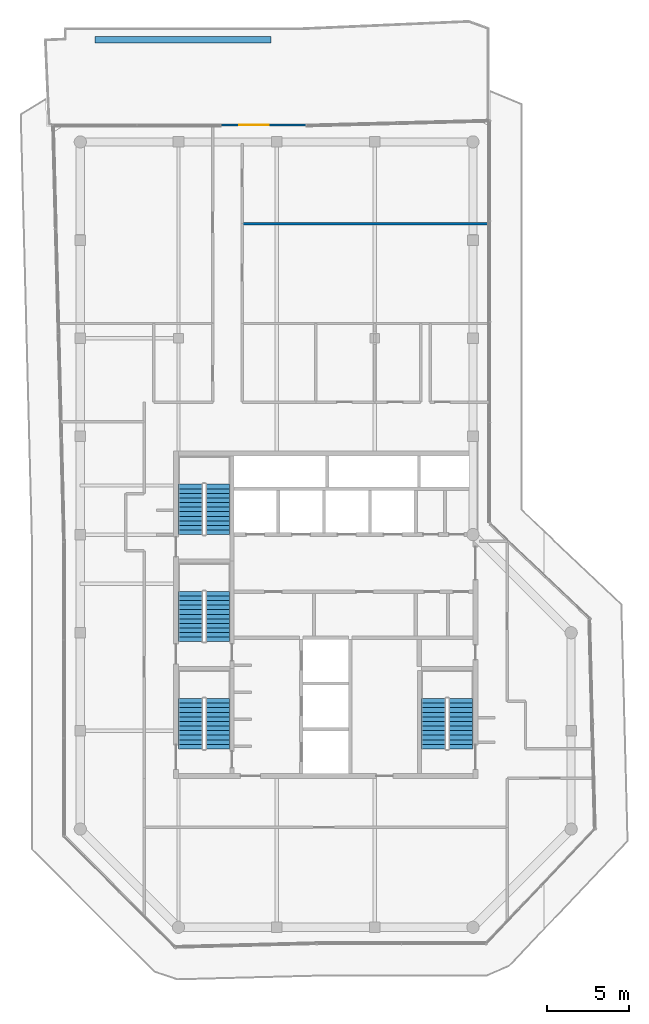
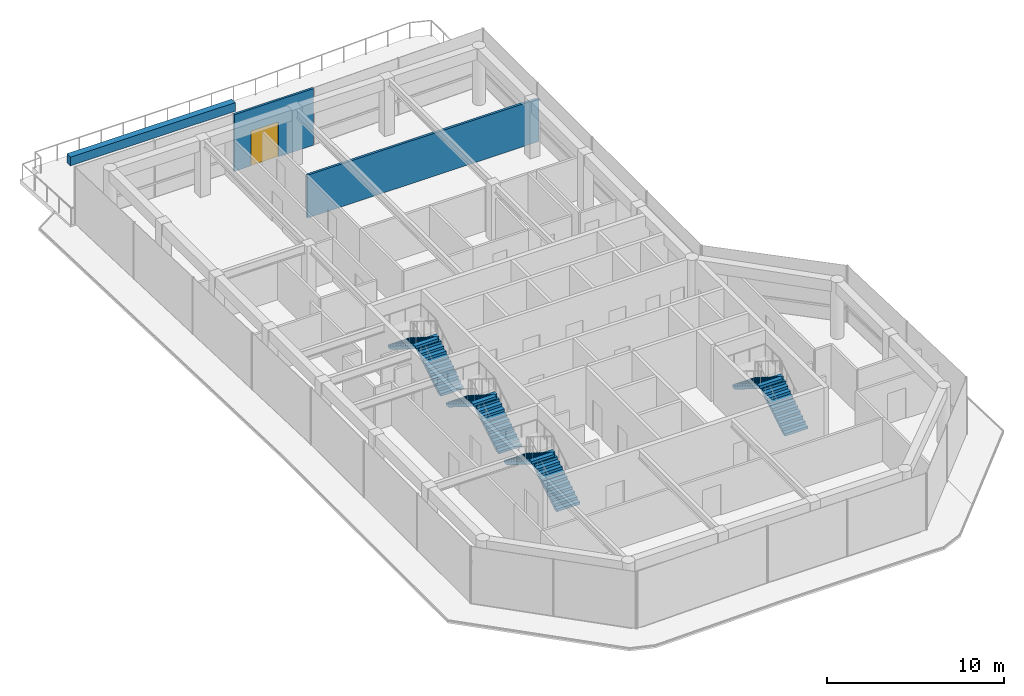
# One storey, part 18 of 20: 8 stair flights, 3 walls, 1 door, 1 opening, 4 elements without a shape of their own.
"""IFC4 building model written with IfcOpenShell, lengths in metres."""

import ifcopenshell
import ifcopenshell.guid

model = None  # the IFC model being written
_history = None  # IfcOwnerHistory: only IFC2X3 demands one
_inside = {}  # id of a spatial element -> (the spatial element, [elements in it])
_under = {}  # id of a project, library or spatial element -> (it, [spatial elements below it])
_declared = {}  # id of a project -> (the project, [libraries it declares])
_typed = {}  # id of a type object -> (the type object, [elements of that type])
_made_of = {}  # id of a material, layer set ... -> (it, [elements and type objects made of it])


def new_model(schema):
    """Start an empty IFC model of exactly this schema.

    Asked for "IFC4X3", IfcOpenShell would pick the latest addendum, in which some entities
    have other attributes; the version numbers below select the first issue.
    IFC2X3 requires an IfcOwnerHistory on every rooted entity: one is made here for all.
    """
    global model, _history
    if schema == "IFC4X3":
        model = ifcopenshell.file(schema_version=(4, 3, 0, 0))
    else:
        model = ifcopenshell.file(schema=schema)
    _inside.clear()
    _under.clear()
    _declared.clear()
    _typed.clear()
    _made_of.clear()
    _history = None
    if model.schema == "IFC2X3":
        org = make("IfcOrganization", Name="unknown")
        user = make(
            "IfcPersonAndOrganization",
            ThePerson=make("IfcPerson", FamilyName="unknown"),
            TheOrganization=org,
        )
        app = make(
            "IfcApplication",
            ApplicationDeveloper=org,
            Version="unknown",
            ApplicationFullName="unknown",
            ApplicationIdentifier="unknown",
        )
        _history = make(
            "IfcOwnerHistory",
            OwningUser=user,
            OwningApplication=app,
            ChangeAction="ADDED",
            CreationDate=0,
        )
    return model


def make(cls, **values):
    """One entity of the class cls with the attributes given. An attribute that is None is left unset."""
    return model.create_entity(
        cls, **{name: value for name, value in values.items() if value is not None}
    )


def rooted(cls, **values):
    """An entity with a GlobalId (a new one), such as an element, a storey or a relation."""
    return make(cls, GlobalId=ifcopenshell.guid.new(), OwnerHistory=_history, **values)


def si_unit(unit_type, name, prefix=None):
    """IfcSIUnit, for example si_unit("LENGTHUNIT", "METRE", prefix="MILLI")."""
    return make("IfcSIUnit", UnitType=unit_type, Prefix=prefix, Name=name)


def assignment(units):
    """IfcUnitAssignment: the units of a project."""
    return None if units is None else make("IfcUnitAssignment", Units=units)


def point(xyz):
    """IfcCartesianPoint."""
    return None if xyz is None else make("IfcCartesianPoint", Coordinates=xyz)


def direction(xyz):
    """IfcDirection."""
    return None if xyz is None else make("IfcDirection", DirectionRatios=xyz)


def frame(location, z_axis=None, x_axis=None):
    """IfcAxis2Placement3D, a coordinate frame: its origin and axes. An axis left out is left unset."""
    return make(
        "IfcAxis2Placement3D",
        Location=point(location),
        Axis=direction(z_axis),
        RefDirection=direction(x_axis),
    )


def frame_2d(location, x_axis=None):
    """IfcAxis2Placement2D, a coordinate frame in the plane: its origin and x axis."""
    return make(
        "IfcAxis2Placement2D", Location=point(location), RefDirection=direction(x_axis)
    )


def origin():
    """The frame at (0, 0, 0) with its axes left unset."""
    return frame((0.0, 0.0, 0.0))


def place(relative_to, where):
    """IfcLocalPlacement: puts the frame where relative to a parent placement (None: the world)."""
    return make(
        "IfcLocalPlacement", PlacementRelTo=relative_to, RelativePlacement=where
    )


def context(
    kind, dimensions, precision=None, world=None, true_north=None, identifier=None
):
    """IfcGeometricRepresentationContext, for example the 3D "Model" context."""
    return make(
        "IfcGeometricRepresentationContext",
        ContextIdentifier=identifier,
        ContextType=kind,
        CoordinateSpaceDimension=dimensions,
        Precision=precision,
        WorldCoordinateSystem=world,
        TrueNorth=true_north,
    )


def subcontext(parent, identifier, kind, view, scale=None):
    """IfcGeometricRepresentationSubContext, for example "Body" below "Model"."""
    return make(
        "IfcGeometricRepresentationSubContext",
        ContextIdentifier=identifier,
        ContextType=kind,
        ParentContext=parent,
        TargetScale=scale,
        TargetView=view,
    )


def project(units=None, contexts=None):
    """IfcProject with its units and contexts."""
    return rooted(
        "IfcProject",
        Name="project",
        RepresentationContexts=contexts,
        UnitsInContext=assignment(units),
    )


def spatial(cls, under=None, at=None, **own):
    """A site, building, storey or space (cls), placed at a placement, below another one or the project."""
    s = rooted(cls, ObjectPlacement=at, **own)
    if under is not None:
        _under.setdefault(under.id(), (under, []))[1].append(s)
    return s


def polyline(points):
    """IfcPolyline through the points."""
    return make("IfcPolyline", Points=[point(p) for p in points])


def profile(cls, at=None, kind="AREA", **sizes):
    """A parametric profile (cls). Its sizes go by their IFC names, for example OverallWidth=200.0."""
    return make(cls, ProfileType=kind, Position=at, **sizes)


def rectangle(**sizes):
    """IfcRectangleProfileDef."""
    return profile("IfcRectangleProfileDef", **sizes)


def outline(outer, holes=None, kind="AREA"):
    """IfcArbitraryClosedProfileDef: a profile drawn as a closed curve; with holes, ...WithVoids."""
    if holes is None:
        return make("IfcArbitraryClosedProfileDef", ProfileType=kind, OuterCurve=outer)
    return make(
        "IfcArbitraryProfileDefWithVoids",
        ProfileType=kind,
        OuterCurve=outer,
        InnerCurves=holes,
    )


def extrude(swept, where, along, depth):
    """IfcExtrudedAreaSolid: the profile swept, set in the frame where, extruded along a direction by depth."""
    return make(
        "IfcExtrudedAreaSolid",
        SweptArea=swept,
        Position=where,
        ExtrudedDirection=direction(along),
        Depth=depth,
    )


def shape(context_of_items, identifier, shape_type, items):
    """IfcShapeRepresentation: the items that make up one representation, for example the "Body"."""
    return make(
        "IfcShapeRepresentation",
        ContextOfItems=context_of_items,
        RepresentationIdentifier=identifier,
        RepresentationType=shape_type,
        Items=items,
    )


def material(Name=None, Category=None):
    """IfcMaterial."""
    return make("IfcMaterial", Name=Name, Category=Category)


def layer(
    of_material, thickness, ventilated=None, Name=None, Category=None, Priority=None
):
    """IfcMaterialLayer: one layer of a wall or slab, of a material (None: an air gap)."""
    return make(
        "IfcMaterialLayer",
        Material=of_material,
        LayerThickness=thickness,
        IsVentilated=ventilated,
        Name=Name,
        Category=Category,
        Priority=Priority,
    )


def layer_set(layers, Name=None):
    """IfcMaterialLayerSet."""
    return make("IfcMaterialLayerSet", MaterialLayers=layers, LayerSetName=Name)


def made_of(thing, what):
    """Note that an element or type object is made of a material, layer set ...; save() writes the relation."""
    if what is not None:
        _made_of.setdefault(what.id(), (what, []))[1].append(thing)
    return thing


def type_object(cls, material=None, **own):
    """A type object (cls), such as IfcWallType, which elements share."""
    return made_of(rooted(cls, **own), material)


def element(
    cls,
    number,
    at=None,
    inside=None,
    cuts=None,
    type_object=None,
    material=None,
    context=None,
    identifier="Body",
    shape_type=None,
    held_by="IfcProductDefinitionShape",
    body=None,
    shapes=None,
    **own,
):
    """One element of the class cls, such as IfcWall. Its Tag is "e" and its number.

    at: its placement. inside: the storey or other place that contains it. cuts: it is an
    opening in that element (IfcRelVoidsElement). A single representation is given by context,
    identifier, shape_type and body (its items); several are given by shapes. held_by: the class
    of the entity that holds the representations. save() writes the other relations.
    """
    e = rooted(cls, Tag="e%d" % number, ObjectPlacement=at, **own)
    if body is not None:
        shapes = [shape(context, identifier, shape_type, body)]
    if shapes is not None:
        e.Representation = make(held_by, Representations=shapes)
    if inside is not None:
        _inside.setdefault(inside.id(), (inside, []))[1].append(e)
    if cuts is not None:
        rooted(
            "IfcRelVoidsElement", RelatingBuildingElement=cuts, RelatedOpeningElement=e
        )
    if type_object is not None:
        _typed.setdefault(type_object.id(), (type_object, []))[1].append(e)
    return made_of(e, material)


def fill(opening, filler):
    """IfcRelFillsElement: the door or window that sits in an opening."""
    return rooted(
        "IfcRelFillsElement",
        RelatingOpeningElement=opening,
        RelatedBuildingElement=filler,
    )


def aggregate(whole, parts):
    """IfcRelAggregates: a whole, such as a stair, and the parts it consists of."""
    return rooted("IfcRelAggregates", RelatingObject=whole, RelatedObjects=parts)


def save(model, path):
    """Write the relations noted so far, then the file.

    IfcRelAggregates (storeys below a building ...), IfcRelContainedInSpatialStructure (elements
    in a storey), IfcRelDefinesByType, IfcRelAssociatesMaterial and IfcRelDeclares: one each for
    every whole, place, type object, material and project.
    """
    for whole, parts in _under.values():
        aggregate(whole, parts)
    for where, things in _inside.values():
        rooted(
            "IfcRelContainedInSpatialStructure",
            RelatedElements=things,
            RelatingStructure=where,
        )
    for kind, things in _typed.values():
        rooted("IfcRelDefinesByType", RelatedObjects=things, RelatingType=kind)
    for what, things in _made_of.values():
        rooted("IfcRelAssociatesMaterial", RelatedObjects=things, RelatingMaterial=what)
    for by, libraries in _declared.values():
        rooted("IfcRelDeclares", RelatingContext=by, RelatedDefinitions=libraries)
    model.write(path)


model = new_model("IFC4")

# Units and contexts
model_context = context("Model", 3, precision=1e-05, world=origin(), true_north=direction((0.0, 1.0)))
body_context = subcontext(model_context, "Body", "Model", "MODEL_VIEW")
ifc_project = project(units=[si_unit("LENGTHUNIT", "METRE"), si_unit("AREAUNIT", "SQUARE_METRE"), si_unit("VOLUMEUNIT", "CUBIC_METRE"), si_unit("PLANEANGLEUNIT", "RADIAN"), si_unit("MASSUNIT", "GRAM", prefix="KILO")], contexts=[model_context])

# Site, building, storey
site_placement = place(None, origin())
site = spatial("IfcSite", under=ifc_project, at=site_placement, CompositionType="ELEMENT")
building_placement = place(site_placement, origin())
building = spatial("IfcBuilding", under=site, at=building_placement, Name="Welwitschia Terrace Campus", CompositionType="ELEMENT")
storey_placement = place(building_placement, frame((0.0, 0.0, 327.199951171875)))
storey = spatial("IfcBuildingStorey", under=building, at=storey_placement, Name="L73", CompositionType="ELEMENT", Elevation=327.199951171875)

# Wall, opening, door
ifc_material_1 = material(Name="Concrete C40/50", Category="concrete")
ifc_layer_1 = layer(ifc_material_1, 0.139892578125)
ifc_layer_set_1 = layer_set([ifc_layer_1], Name="Concrete C40/50")
wall_type_1 = type_object("IfcWallType", Name="Clad wall 140", PredefinedType="SOLIDWALL", material=ifc_layer_set_1)
wall_1_placement = place(storey_placement, frame((13.7919921875, 45.030029296875, 0.0), z_axis=(0.0, 0.0, 1.0), x_axis=(-1.0, 0.0, 0.0)))
wall_1 = element("IfcWall", 1, at=wall_1_placement, inside=storey, type_object=wall_type_1, Name="Clad wall L73.terrace door 0", PredefinedType="SOLIDWALL", context=body_context, shape_type="SweptSolid", body=[
    extrude(rectangle(XDim=5.1630859375, YDim=0.139892578125, at=frame_2d((2.58154296875, 0.0))), origin(), (0.0, 0.0, 1.0), 3.900146484375),
])
opening_placement = place(wall_1_placement, frame((2.281494140625, 0.0, 0.0)))
opening = element("IfcOpeningElement", 2, at=opening_placement, cuts=wall_1, Name="Opening DE3", PredefinedType="OPENING", context=body_context, shape_type="SweptSolid", body=[
    extrude(rectangle(XDim=1.800048828125, YDim=2.39990234375, at=frame_2d((0.89990234375, 1.199951171875))), frame((0.0, 0.079833984375, 0.0), z_axis=(0.0, -1.0, 0.0), x_axis=(1.0, 0.0, 0.0)), (0.0, 0.0, 1.0), 0.159912109375),
])
ifc_material_2 = material(Name="Bronze anodised aluminium and glass", Category="aluminium")
door_type = type_object("IfcDoorType", Name="Terrace door 1800x2400", OperationType="DOUBLE_DOOR_DOUBLE_SWING", PredefinedType="DOOR", material=ifc_material_2)
door_placement = place(opening_placement, origin())
door = element("IfcDoor", 3, at=door_placement, inside=storey, type_object=door_type, Name="Door L73:T0", OperationType="DOUBLE_DOOR_DOUBLE_SWING", OverallHeight=2.39990234375, OverallWidth=1.800048828125, PredefinedType="DOOR", context=body_context, shape_type="SweptSolid", body=[
    extrude(rectangle(XDim=1.800048828125, YDim=2.39990234375, at=frame_2d((0.89990234375, 1.199951171875))), frame((0.0, 0.02490234375, 0.0), z_axis=(0.0, -1.0, 0.0), x_axis=(1.0, 0.0, 0.0)), (0.0, 0.0, 1.0), 0.050048828125),
])
fill(opening, door)

# Walls
ifc_material_3 = material(Name="Gypsum board on steel studs", Category="steel")
ifc_layer_2 = layer(ifc_material_3, 0.14990234375)
ifc_layer_set_2 = layer_set([ifc_layer_2], Name="Gypsum board on steel studs")
wall_type_2 = type_object("IfcWallType", Name="Corridor partition 150 EI 30", PredefinedType="PARTITIONING", material=ifc_layer_set_2)
wall_2_placement = place(storey_placement, frame((9.89990234375, 39.0, 0.0), z_axis=(0.0, 0.0, 1.0), x_axis=(1.0, 0.0, 0.0)))
element("IfcWall", 4, at=wall_2_placement, inside=storey, type_object=wall_type_2, Name="Partition", PredefinedType="PARTITIONING", context=body_context, shape_type="SweptSolid", body=[
    extrude(rectangle(XDim=15.080078125, YDim=0.14990234375, at=frame_2d((7.5400390625, 0.0))), origin(), (0.0, 0.0, 1.0), 2.949951171875),
])
ifc_material_4 = material(Name="Concrete C40/50", Category="concrete")
ifc_layer_3 = layer(ifc_material_4, 0.39990234375)
ifc_layer_set_3 = layer_set([ifc_layer_3], Name="Concrete C40/50")
wall_type_3 = type_object("IfcWallType", Name="Planter wall 400", PredefinedType="SOLIDWALL", material=ifc_layer_set_3)
wall_3_placement = place(storey_placement, frame((0.89990234375, 50.25, 0.0), z_axis=(0.0, 0.0, 1.0), x_axis=(1.0, 0.0, 0.0)))
element("IfcWall", 5, at=wall_3_placement, inside=storey, type_object=wall_type_3, Name="PLANTER", PredefinedType="SOLIDWALL", context=body_context, shape_type="SweptSolid", body=[
    extrude(rectangle(XDim=10.74560546875, YDim=0.39990234375, at=frame_2d((5.372802734375, 0.0))), origin(), (0.0, 0.0, 1.0), 0.60009765625),
])

# Stair, stair flights
ifc_material_5 = material(Name="Concrete C40/50", Category="concrete")
stair_type = type_object("IfcStairType", Name="Stair 24R 175 W1500", PredefinedType="HALF_TURN_STAIR", material=ifc_material_5)
stair_1_placement = place(storey_placement, origin())
stair_1 = element("IfcStair", 6, at=stair_1_placement, inside=storey, type_object=stair_type, Name="L73 Exit stair S1", PredefinedType="HALF_TURN_STAIR")
ifc_material_6 = material(Name="Concrete C40/50", Category="concrete")
stair_flight_type = type_object("IfcStairFlightType", Name="Stair flight 24R 175 W1500", PredefinedType="STRAIGHT", material=ifc_material_6)
stair_flight_1_placement = place(storey_placement, frame((8.39990234375, 6.89990234375, 0.0), z_axis=(0.0, 0.0, 1.0), x_axis=(0.0, 1.0, 0.0)))
stair_flight_1 = element("IfcStairFlight", 7, at=stair_flight_1_placement, type_object=stair_flight_type, Name="S1 flight 1", NumberOfRisers=12, NumberOfTreads=11, PredefinedType="STRAIGHT", RiserHeight=0.175, TreadLength=0.28, context=body_context, shape_type="SweptSolid", body=[
    extrude(outline(polyline([(0.0, 0.0), (0.0, 0.175048828125), (0.280029296875, 0.175048828125), (0.280029296875, 0.35009765625), (0.56005859375, 0.35009765625), (0.56005859375, 0.52490234375), (0.840087890625, 0.52490234375), (0.840087890625, 0.699951171875), (1.1201171875, 0.699951171875), (1.1201171875, 0.875), (1.39990234375, 0.875), (1.39990234375, 1.050048828125), (1.679931640625, 1.050048828125), (1.679931640625, 1.22509765625), (1.9599609375, 1.22509765625), (1.9599609375, 1.39990234375), (2.239990234375, 1.39990234375), (2.239990234375, 1.574951171875), (2.52001953125, 1.574951171875), (2.52001953125, 1.75), (2.800048828125, 1.75), (2.800048828125, 1.925048828125), (3.080078125, 1.925048828125), (3.080078125, 2.10009765625), (3.080078125, 1.748291015625), (0.28271484375, 0.0), (0.0, 0.0)])), frame((0.0, 0.75, 0.0), z_axis=(0.0, -1.0, 0.0), x_axis=(1.0, 0.0, 0.0)), (0.0, 0.0, 1.0), 1.5),
])
stair_flight_2_placement = place(storey_placement, frame((6.75, 9.97998046875, 2.10009765625), z_axis=(0.0, 0.0, 1.0), x_axis=(0.0, -1.0, 0.0)))
stair_flight_2 = element("IfcStairFlight", 8, at=stair_flight_2_placement, type_object=stair_flight_type, Name="S1 flight 2", NumberOfRisers=12, NumberOfTreads=11, PredefinedType="STRAIGHT", RiserHeight=0.175, TreadLength=0.28, context=body_context, shape_type="SweptSolid", body=[
    extrude(outline(polyline([(0.0, 0.0), (0.0, 0.175048828125), (0.280029296875, 0.175048828125), (0.280029296875, 0.35009765625), (0.56005859375, 0.35009765625), (0.56005859375, 0.52490234375), (0.840087890625, 0.52490234375), (0.840087890625, 0.699951171875), (1.1201171875, 0.699951171875), (1.1201171875, 0.875), (1.39990234375, 0.875), (1.39990234375, 1.050048828125), (1.679931640625, 1.050048828125), (1.679931640625, 1.22509765625), (1.9599609375, 1.22509765625), (1.9599609375, 1.39990234375), (2.239990234375, 1.39990234375), (2.239990234375, 1.574951171875), (2.52001953125, 1.574951171875), (2.52001953125, 1.75), (2.800048828125, 1.75), (2.800048828125, 1.925048828125), (3.080078125, 1.925048828125), (3.080078125, 2.10009765625), (3.080078125, 1.748291015625), (0.28271484375, 0.0), (0.0, 0.0)])), frame((0.0, 0.75, 0.0), z_axis=(0.0, -1.0, 0.0), x_axis=(1.0, 0.0, 0.0)), (0.0, 0.0, 1.0), 1.5),
])
aggregate(stair_1, [stair_flight_1, stair_flight_2])

stair_2_placement = place(storey_placement, origin())
stair_2 = element("IfcStair", 9, at=stair_2_placement, inside=storey, type_object=stair_type, Name="L73 Exit stair S3", PredefinedType="HALF_TURN_STAIR")
stair_flight_3_placement = place(storey_placement, frame((8.39990234375, 13.449951171875, 0.0), z_axis=(0.0, 0.0, 1.0), x_axis=(0.0, 1.0, 0.0)))
stair_flight_3 = element("IfcStairFlight", 10, at=stair_flight_3_placement, type_object=stair_flight_type, Name="S3 flight 1", NumberOfRisers=12, NumberOfTreads=11, PredefinedType="STRAIGHT", RiserHeight=0.175, TreadLength=0.28, context=body_context, shape_type="SweptSolid", body=[
    extrude(outline(polyline([(0.0, 0.0), (0.0, 0.175048828125), (0.280029296875, 0.175048828125), (0.280029296875, 0.35009765625), (0.56005859375, 0.35009765625), (0.56005859375, 0.52490234375), (0.840087890625, 0.52490234375), (0.840087890625, 0.699951171875), (1.1201171875, 0.699951171875), (1.1201171875, 0.875), (1.39990234375, 0.875), (1.39990234375, 1.050048828125), (1.679931640625, 1.050048828125), (1.679931640625, 1.22509765625), (1.9599609375, 1.22509765625), (1.9599609375, 1.39990234375), (2.239990234375, 1.39990234375), (2.239990234375, 1.574951171875), (2.52001953125, 1.574951171875), (2.52001953125, 1.75), (2.800048828125, 1.75), (2.800048828125, 1.925048828125), (3.080078125, 1.925048828125), (3.080078125, 2.10009765625), (3.080078125, 1.748291015625), (0.28271484375, 0.0), (0.0, 0.0)])), frame((0.0, 0.75, 0.0), z_axis=(0.0, -1.0, 0.0), x_axis=(1.0, 0.0, 0.0)), (0.0, 0.0, 1.0), 1.5),
])
stair_flight_4_placement = place(storey_placement, frame((6.75, 16.530029296875, 2.10009765625), z_axis=(0.0, 0.0, 1.0), x_axis=(0.0, -1.0, 0.0)))
stair_flight_4 = element("IfcStairFlight", 11, at=stair_flight_4_placement, type_object=stair_flight_type, Name="S3 flight 2", NumberOfRisers=12, NumberOfTreads=11, PredefinedType="STRAIGHT", RiserHeight=0.175, TreadLength=0.28, context=body_context, shape_type="SweptSolid", body=[
    extrude(outline(polyline([(0.0, 0.0), (0.0, 0.175048828125), (0.280029296875, 0.175048828125), (0.280029296875, 0.35009765625), (0.56005859375, 0.35009765625), (0.56005859375, 0.52490234375), (0.840087890625, 0.52490234375), (0.840087890625, 0.699951171875), (1.1201171875, 0.699951171875), (1.1201171875, 0.875), (1.39990234375, 0.875), (1.39990234375, 1.050048828125), (1.679931640625, 1.050048828125), (1.679931640625, 1.22509765625), (1.9599609375, 1.22509765625), (1.9599609375, 1.39990234375), (2.239990234375, 1.39990234375), (2.239990234375, 1.574951171875), (2.52001953125, 1.574951171875), (2.52001953125, 1.75), (2.800048828125, 1.75), (2.800048828125, 1.925048828125), (3.080078125, 1.925048828125), (3.080078125, 2.10009765625), (3.080078125, 1.748291015625), (0.28271484375, 0.0), (0.0, 0.0)])), frame((0.0, 0.75, 0.0), z_axis=(0.0, -1.0, 0.0), x_axis=(1.0, 0.0, 0.0)), (0.0, 0.0, 1.0), 1.5),
])
aggregate(stair_2, [stair_flight_3, stair_flight_4])

stair_3_placement = place(storey_placement, origin())
stair_3 = element("IfcStair", 12, at=stair_3_placement, inside=storey, type_object=stair_type, Name="L73 Exit stair S4", PredefinedType="HALF_TURN_STAIR")
stair_flight_5_placement = place(storey_placement, frame((8.39990234375, 20.0, 0.0), z_axis=(0.0, 0.0, 1.0), x_axis=(0.0, 1.0, 0.0)))
stair_flight_5 = element("IfcStairFlight", 13, at=stair_flight_5_placement, type_object=stair_flight_type, Name="S4 flight 1", NumberOfRisers=12, NumberOfTreads=11, PredefinedType="STRAIGHT", RiserHeight=0.175, TreadLength=0.28, context=body_context, shape_type="SweptSolid", body=[
    extrude(outline(polyline([(0.0, 0.0), (0.0, 0.175048828125), (0.280029296875, 0.175048828125), (0.280029296875, 0.35009765625), (0.56005859375, 0.35009765625), (0.56005859375, 0.52490234375), (0.840087890625, 0.52490234375), (0.840087890625, 0.699951171875), (1.1201171875, 0.699951171875), (1.1201171875, 0.875), (1.39990234375, 0.875), (1.39990234375, 1.050048828125), (1.679931640625, 1.050048828125), (1.679931640625, 1.22509765625), (1.9599609375, 1.22509765625), (1.9599609375, 1.39990234375), (2.239990234375, 1.39990234375), (2.239990234375, 1.574951171875), (2.52001953125, 1.574951171875), (2.52001953125, 1.75), (2.800048828125, 1.75), (2.800048828125, 1.925048828125), (3.080078125, 1.925048828125), (3.080078125, 2.10009765625), (3.080078125, 1.748291015625), (0.28271484375, 0.0), (0.0, 0.0)])), frame((0.0, 0.75, 0.0), z_axis=(0.0, -1.0, 0.0), x_axis=(1.0, 0.0, 0.0)), (0.0, 0.0, 1.0), 1.5),
])
stair_flight_6_placement = place(storey_placement, frame((6.75, 23.080078125, 2.10009765625), z_axis=(0.0, 0.0, 1.0), x_axis=(0.0, -1.0, 0.0)))
stair_flight_6 = element("IfcStairFlight", 14, at=stair_flight_6_placement, type_object=stair_flight_type, Name="S4 flight 2", NumberOfRisers=12, NumberOfTreads=11, PredefinedType="STRAIGHT", RiserHeight=0.175, TreadLength=0.28, context=body_context, shape_type="SweptSolid", body=[
    extrude(outline(polyline([(0.0, 0.0), (0.0, 0.175048828125), (0.280029296875, 0.175048828125), (0.280029296875, 0.35009765625), (0.56005859375, 0.35009765625), (0.56005859375, 0.52490234375), (0.840087890625, 0.52490234375), (0.840087890625, 0.699951171875), (1.1201171875, 0.699951171875), (1.1201171875, 0.875), (1.39990234375, 0.875), (1.39990234375, 1.050048828125), (1.679931640625, 1.050048828125), (1.679931640625, 1.22509765625), (1.9599609375, 1.22509765625), (1.9599609375, 1.39990234375), (2.239990234375, 1.39990234375), (2.239990234375, 1.574951171875), (2.52001953125, 1.574951171875), (2.52001953125, 1.75), (2.800048828125, 1.75), (2.800048828125, 1.925048828125), (3.080078125, 1.925048828125), (3.080078125, 2.10009765625), (3.080078125, 1.748291015625), (0.28271484375, 0.0), (0.0, 0.0)])), frame((0.0, 0.75, 0.0), z_axis=(0.0, -1.0, 0.0), x_axis=(1.0, 0.0, 0.0)), (0.0, 0.0, 1.0), 1.5),
])
aggregate(stair_3, [stair_flight_5, stair_flight_6])

stair_4_placement = place(storey_placement, origin())
stair_4 = element("IfcStair", 15, at=stair_4_placement, inside=storey, type_object=stair_type, Name="L73 Exit stair S2", PredefinedType="HALF_TURN_STAIR")
stair_flight_7_placement = place(storey_placement, frame((23.25, 6.89990234375, 0.0), z_axis=(0.0, 0.0, 1.0), x_axis=(0.0, 1.0, 0.0)))
stair_flight_7 = element("IfcStairFlight", 16, at=stair_flight_7_placement, type_object=stair_flight_type, Name="S2 flight 1", NumberOfRisers=12, NumberOfTreads=11, PredefinedType="STRAIGHT", RiserHeight=0.175, TreadLength=0.28, context=body_context, shape_type="SweptSolid", body=[
    extrude(outline(polyline([(0.0, 0.0), (0.0, 0.175048828125), (0.280029296875, 0.175048828125), (0.280029296875, 0.35009765625), (0.56005859375, 0.35009765625), (0.56005859375, 0.52490234375), (0.840087890625, 0.52490234375), (0.840087890625, 0.699951171875), (1.1201171875, 0.699951171875), (1.1201171875, 0.875), (1.39990234375, 0.875), (1.39990234375, 1.050048828125), (1.679931640625, 1.050048828125), (1.679931640625, 1.22509765625), (1.9599609375, 1.22509765625), (1.9599609375, 1.39990234375), (2.239990234375, 1.39990234375), (2.239990234375, 1.574951171875), (2.52001953125, 1.574951171875), (2.52001953125, 1.75), (2.800048828125, 1.75), (2.800048828125, 1.925048828125), (3.080078125, 1.925048828125), (3.080078125, 2.10009765625), (3.080078125, 1.748291015625), (0.28271484375, 0.0), (0.0, 0.0)])), frame((0.0, 0.75, 0.0), z_axis=(0.0, -1.0, 0.0), x_axis=(1.0, 0.0, 0.0)), (0.0, 0.0, 1.0), 1.5),
])
stair_flight_8_placement = place(storey_placement, frame((21.60009765625, 9.97998046875, 2.10009765625), z_axis=(0.0, 0.0, 1.0), x_axis=(0.0, -1.0, 0.0)))
stair_flight_8 = element("IfcStairFlight", 17, at=stair_flight_8_placement, type_object=stair_flight_type, Name="S2 flight 2", NumberOfRisers=12, NumberOfTreads=11, PredefinedType="STRAIGHT", RiserHeight=0.175, TreadLength=0.28, context=body_context, shape_type="SweptSolid", body=[
    extrude(outline(polyline([(0.0, 0.0), (0.0, 0.175048828125), (0.280029296875, 0.175048828125), (0.280029296875, 0.35009765625), (0.56005859375, 0.35009765625), (0.56005859375, 0.52490234375), (0.840087890625, 0.52490234375), (0.840087890625, 0.699951171875), (1.1201171875, 0.699951171875), (1.1201171875, 0.875), (1.39990234375, 0.875), (1.39990234375, 1.050048828125), (1.679931640625, 1.050048828125), (1.679931640625, 1.22509765625), (1.9599609375, 1.22509765625), (1.9599609375, 1.39990234375), (2.239990234375, 1.39990234375), (2.239990234375, 1.574951171875), (2.52001953125, 1.574951171875), (2.52001953125, 1.75), (2.800048828125, 1.75), (2.800048828125, 1.925048828125), (3.080078125, 1.925048828125), (3.080078125, 2.10009765625), (3.080078125, 1.748291015625), (0.28271484375, 0.0), (0.0, 0.0)])), frame((0.0, 0.75, 0.0), z_axis=(0.0, -1.0, 0.0), x_axis=(1.0, 0.0, 0.0)), (0.0, 0.0, 1.0), 1.5),
])
aggregate(stair_4, [stair_flight_7, stair_flight_8])

save(model, "model.ifc")
